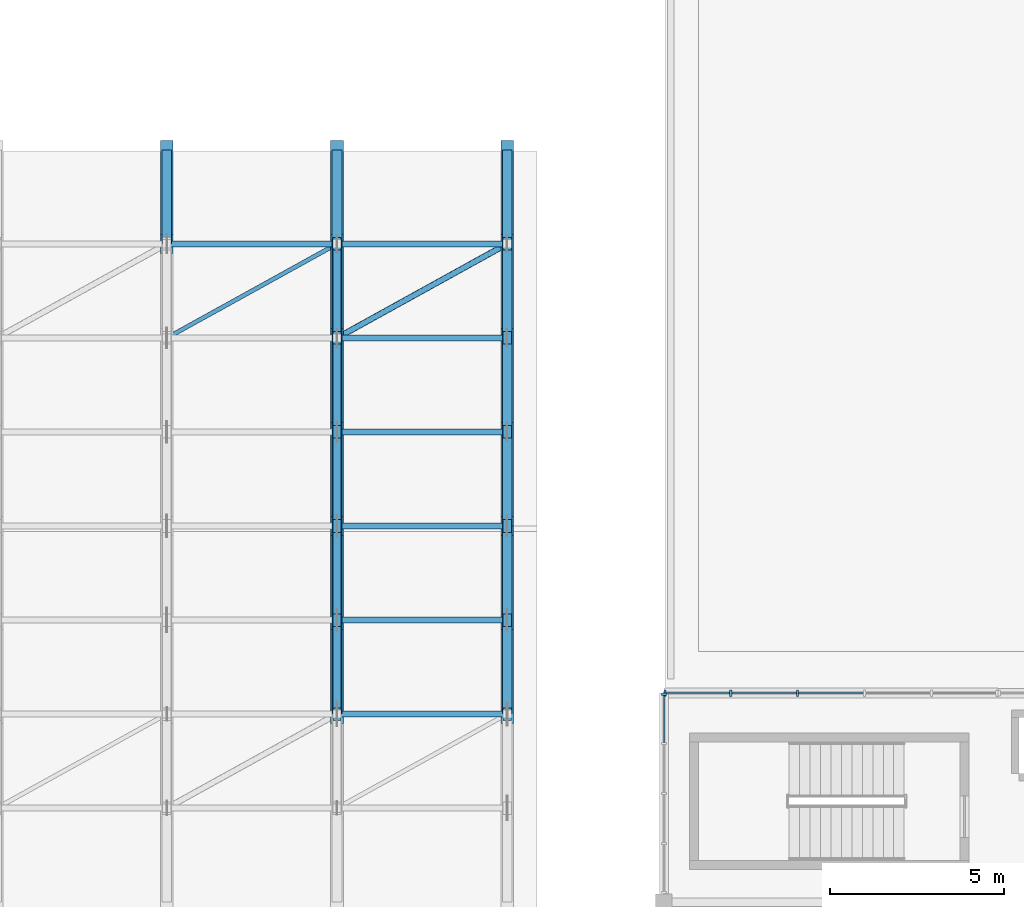
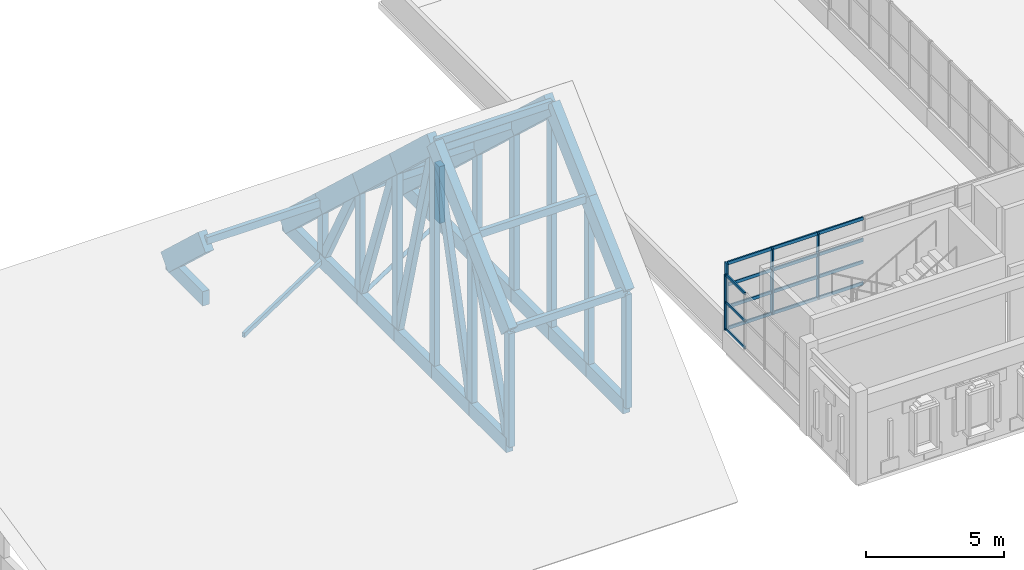
# One storey, part 25 of 79: 71 members, 2 elements without a shape of their own.
"""IFC4 building model written with IfcOpenShell, lengths in metres."""

from ifc_helpers import new_model, si_unit, direction, frame, origin, origin_2d, place, context, subcontext, project, spatial, rectangle, hollow_rectangle, hollow_circle, extrude, material, material_profile, profile_set, type_object, element, aggregate, save


model = new_model("IFC4")

# Units and contexts
model_context = context("Model", 3, precision=1e-05, world=origin(), true_north=direction((0.0, 1.0)))
body_context = subcontext(model_context, "Body", "Model", "MODEL_VIEW")
ifc_project = project(units=[si_unit("LENGTHUNIT", "METRE"), si_unit("AREAUNIT", "SQUARE_METRE"), si_unit("VOLUMEUNIT", "CUBIC_METRE"), si_unit("PLANEANGLEUNIT", "RADIAN"), si_unit("MASSUNIT", "GRAM", prefix="KILO")], contexts=[model_context])

# Site, building, storey
site_placement = place(None, origin())
site = spatial("IfcSite", under=ifc_project, at=site_placement, CompositionType="ELEMENT")
building_placement = place(site_placement, origin())
building = spatial("IfcBuilding", under=site, at=building_placement, Name="Nzembalo Square Collegiate School", CompositionType="ELEMENT")
storey_placement = place(building_placement, frame((0.0, 0.0, 9.52001953125)))
storey = spatial("IfcBuildingStorey", under=building, at=storey_placement, Name="L02", CompositionType="ELEMENT", Elevation=9.52001953125)

# Curtain wall, members
ifc_material_1 = material(Name="Aluminium 6060-T66", Category="aluminium")
curtain_wall_type_1 = type_object("IfcCurtainWallType", Name="CW-09", PredefinedType="USERDEFINED", material=ifc_material_1)
curtain_wall_1_placement = place(storey_placement, origin())
curtain_wall_1 = element("IfcCurtainWall", 1, at=curtain_wall_1_placement, inside=storey, type_object=curtain_wall_type_1, Name="Curtain wall CW-09 cw:L02:100", ObjectType="UNITISED", PredefinedType="USERDEFINED")
ifc_material_2 = material(Name="Aluminium 6060-T66", Category="aluminium")
ifc_material_profile_1 = material_profile(ifc_material_2, rectangle(XDim=0.06005859375, YDim=0.179931640625, at=origin_2d()), Name="ALU M60x180")
ifc_profile_set_1 = profile_set([ifc_material_profile_1], Name="Aluminium 6060-T66")
member_type_1 = type_object("IfcMemberType", Name="ML01", PredefinedType="MULLION", material=ifc_profile_set_1)
member_1_placement = place(storey_placement, frame((130.830078125, 88.800048828125, 0.85009765625), z_axis=(0.0, 0.0, 1.0), x_axis=(1.0, 0.0, 0.0)))
member_1 = element("IfcMember", 2, at=member_1_placement, type_object=member_type_1, Name="ML01 mullion 1", PredefinedType="MULLION", context=body_context, shape_type="SweptSolid", body=[
    extrude(rectangle(XDim=0.06005859375, YDim=0.179931640625, at=origin_2d()), origin(), (0.0, 0.0, 1.0), 2.923828125),
])
member_2_placement = place(storey_placement, frame((132.719970703125, 88.800048828125, 0.85009765625), z_axis=(0.0, 0.0, 1.0), x_axis=(1.0, 0.0, 0.0)))
member_2 = element("IfcMember", 3, at=member_2_placement, type_object=member_type_1, Name="ML01 mullion 2", PredefinedType="MULLION", context=body_context, shape_type="SweptSolid", body=[
    extrude(rectangle(XDim=0.06005859375, YDim=0.179931640625, at=origin_2d()), origin(), (0.0, 0.0, 1.0), 2.923828125),
])
member_3_placement = place(storey_placement, frame((134.639892578125, 88.800048828125, 0.85009765625), z_axis=(0.0, 0.0, 1.0), x_axis=(1.0, 0.0, 0.0)))
member_3 = element("IfcMember", 4, at=member_3_placement, type_object=member_type_1, Name="ML01 mullion 3", PredefinedType="MULLION", context=body_context, shape_type="SweptSolid", body=[
    extrude(rectangle(XDim=0.06005859375, YDim=0.179931640625, at=origin_2d()), origin(), (0.0, 0.0, 1.0), 2.923828125),
])

# Curtain wall, member
ifc_material_3 = material(Name="Aluminium 6060-T66", Category="aluminium")
curtain_wall_type_2 = type_object("IfcCurtainWallType", Name="CW-04", PredefinedType="USERDEFINED", material=ifc_material_3)
curtain_wall_2_placement = place(storey_placement, origin())
curtain_wall_2 = element("IfcCurtainWall", 5, at=curtain_wall_2_placement, inside=storey, type_object=curtain_wall_type_2, Name="Curtain wall CW-04 cw:L02:099", ObjectType="UNITISED", PredefinedType="USERDEFINED")
ifc_material_4 = material(Name="Aluminium 6060-T66", Category="aluminium")
ifc_material_profile_2 = material_profile(ifc_material_4, rectangle(XDim=0.06005859375, YDim=0.14990234375, at=origin_2d()), Name="ALU M60x150")
ifc_profile_set_2 = profile_set([ifc_material_profile_2], Name="Aluminium 6060-T66")
member_type_2 = type_object("IfcMemberType", Name="ML02", PredefinedType="MULLION", material=ifc_profile_set_2)
member_4_placement = place(storey_placement, frame((130.800048828125, 88.77001953125, 0.85009765625), z_axis=(0.0, 0.0, 1.0), x_axis=(0.0, 1.0, 0.0)))
member_4 = element("IfcMember", 6, at=member_4_placement, type_object=member_type_2, Name="ML02 mullion 5", PredefinedType="MULLION", context=body_context, shape_type="SweptSolid", body=[
    extrude(rectangle(XDim=0.06005859375, YDim=0.14990234375, at=origin_2d()), origin(), (0.0, 0.0, 1.0), 2.448974609375),
])

# Member
ifc_material_5 = material(Name="Aluminium 6060-T66", Category="aluminium")
ifc_material_profile_3 = material_profile(ifc_material_5, rectangle(XDim=0.06005859375, YDim=0.139892578125, at=origin_2d()), Name="ALU T60x140")
ifc_profile_set_3 = profile_set([ifc_material_profile_3], Name="Aluminium 6060-T66")
member_type_3 = type_object("IfcMemberType", Name="TR01", PredefinedType="USERDEFINED", material=ifc_profile_set_3)
member_5_placement = place(storey_placement, frame((130.860107421875, 88.800048828125, 0.8798828125), z_axis=(1.0, 0.0, 0.0), x_axis=(0.0, 1.0, 0.0)))
member_5 = element("IfcMember", 7, at=member_5_placement, type_object=member_type_3, Name="TR01 transom 1-1", ObjectType="TRANSOM", PredefinedType="USERDEFINED", context=body_context, shape_type="SweptSolid", body=[
    extrude(rectangle(XDim=0.06005859375, YDim=0.139892578125, at=origin_2d()), origin(), (0.0, 0.0, 1.0), 1.829833984375),
])

member_6_placement = place(storey_placement, frame((132.75, 88.800048828125, 0.8798828125), z_axis=(1.0, 0.0, 0.0), x_axis=(0.0, 1.0, 0.0)))
member_6 = element("IfcMember", 8, at=member_6_placement, type_object=member_type_3, Name="TR01 transom 1-2", ObjectType="TRANSOM", PredefinedType="USERDEFINED", context=body_context, shape_type="SweptSolid", body=[
    extrude(rectangle(XDim=0.06005859375, YDim=0.139892578125, at=origin_2d()), origin(), (0.0, 0.0, 1.0), 1.860107421875),
])

member_7_placement = place(storey_placement, frame((134.669921875, 88.800048828125, 0.8798828125), z_axis=(1.0, 0.0, 0.0), x_axis=(0.0, 1.0, 0.0)))
member_7 = element("IfcMember", 9, at=member_7_placement, type_object=member_type_3, Name="TR01 transom 1-3", ObjectType="TRANSOM", PredefinedType="USERDEFINED", context=body_context, shape_type="SweptSolid", body=[
    extrude(rectangle(XDim=0.06005859375, YDim=0.139892578125, at=origin_2d()), origin(), (0.0, 0.0, 1.0), 1.860107421875),
])

member_8_placement = place(storey_placement, frame((130.860107421875, 88.800048828125, 1.82470703125), z_axis=(1.0, 0.0, 0.0), x_axis=(0.0, 1.0, 0.0)))
member_8 = element("IfcMember", 10, at=member_8_placement, type_object=member_type_3, Name="TR01 transom 2-1", ObjectType="TRANSOM", PredefinedType="USERDEFINED", context=body_context, shape_type="SweptSolid", body=[
    extrude(rectangle(XDim=0.06005859375, YDim=0.139892578125, at=origin_2d()), origin(), (0.0, 0.0, 1.0), 1.829833984375),
])

member_9_placement = place(storey_placement, frame((132.75, 88.800048828125, 1.82470703125), z_axis=(1.0, 0.0, 0.0), x_axis=(0.0, 1.0, 0.0)))
member_9 = element("IfcMember", 11, at=member_9_placement, type_object=member_type_3, Name="TR01 transom 2-2", ObjectType="TRANSOM", PredefinedType="USERDEFINED", context=body_context, shape_type="SweptSolid", body=[
    extrude(rectangle(XDim=0.06005859375, YDim=0.139892578125, at=origin_2d()), origin(), (0.0, 0.0, 1.0), 1.860107421875),
])

member_10_placement = place(storey_placement, frame((134.669921875, 88.800048828125, 1.82470703125), z_axis=(1.0, 0.0, 0.0), x_axis=(0.0, 1.0, 0.0)))
member_10 = element("IfcMember", 12, at=member_10_placement, type_object=member_type_3, Name="TR01 transom 2-3", ObjectType="TRANSOM", PredefinedType="USERDEFINED", context=body_context, shape_type="SweptSolid", body=[
    extrude(rectangle(XDim=0.06005859375, YDim=0.139892578125, at=origin_2d()), origin(), (0.0, 0.0, 1.0), 1.860107421875),
])

member_11_placement = place(storey_placement, frame((130.860107421875, 88.800048828125, 2.79931640625), z_axis=(1.0, 0.0, 0.0), x_axis=(0.0, 1.0, 0.0)))
member_11 = element("IfcMember", 13, at=member_11_placement, type_object=member_type_3, Name="TR01 transom 3-1", ObjectType="TRANSOM", PredefinedType="USERDEFINED", context=body_context, shape_type="SweptSolid", body=[
    extrude(rectangle(XDim=0.06005859375, YDim=0.139892578125, at=origin_2d()), origin(), (0.0, 0.0, 1.0), 1.829833984375),
])

member_12_placement = place(storey_placement, frame((132.75, 88.800048828125, 2.79931640625), z_axis=(1.0, 0.0, 0.0), x_axis=(0.0, 1.0, 0.0)))
member_12 = element("IfcMember", 14, at=member_12_placement, type_object=member_type_3, Name="TR01 transom 3-2", ObjectType="TRANSOM", PredefinedType="USERDEFINED", context=body_context, shape_type="SweptSolid", body=[
    extrude(rectangle(XDim=0.06005859375, YDim=0.139892578125, at=origin_2d()), origin(), (0.0, 0.0, 1.0), 1.860107421875),
])

member_13_placement = place(storey_placement, frame((134.669921875, 88.800048828125, 2.79931640625), z_axis=(1.0, 0.0, 0.0), x_axis=(0.0, 1.0, 0.0)))
member_13 = element("IfcMember", 15, at=member_13_placement, type_object=member_type_3, Name="TR01 transom 3-3", ObjectType="TRANSOM", PredefinedType="USERDEFINED", context=body_context, shape_type="SweptSolid", body=[
    extrude(rectangle(XDim=0.06005859375, YDim=0.139892578125, at=origin_2d()), origin(), (0.0, 0.0, 1.0), 1.860107421875),
])

member_14_placement = place(storey_placement, frame((130.860107421875, 88.800048828125, 3.743896484375), z_axis=(1.0, 0.0, 0.0), x_axis=(0.0, 1.0, 0.0)))
member_14 = element("IfcMember", 16, at=member_14_placement, type_object=member_type_3, Name="TR01 transom 4-1", ObjectType="TRANSOM", PredefinedType="USERDEFINED", context=body_context, shape_type="SweptSolid", body=[
    extrude(rectangle(XDim=0.06005859375, YDim=0.139892578125, at=origin_2d()), origin(), (0.0, 0.0, 1.0), 1.829833984375),
])

member_15_placement = place(storey_placement, frame((132.75, 88.800048828125, 3.743896484375), z_axis=(1.0, 0.0, 0.0), x_axis=(0.0, 1.0, 0.0)))
member_15 = element("IfcMember", 17, at=member_15_placement, type_object=member_type_3, Name="TR01 transom 4-2", ObjectType="TRANSOM", PredefinedType="USERDEFINED", context=body_context, shape_type="SweptSolid", body=[
    extrude(rectangle(XDim=0.06005859375, YDim=0.139892578125, at=origin_2d()), origin(), (0.0, 0.0, 1.0), 1.860107421875),
])

member_16_placement = place(storey_placement, frame((134.669921875, 88.800048828125, 3.743896484375), z_axis=(1.0, 0.0, 0.0), x_axis=(0.0, 1.0, 0.0)))
member_16 = element("IfcMember", 18, at=member_16_placement, type_object=member_type_3, Name="TR01 transom 4-3", ObjectType="TRANSOM", PredefinedType="USERDEFINED", context=body_context, shape_type="SweptSolid", body=[
    extrude(rectangle(XDim=0.06005859375, YDim=0.139892578125, at=origin_2d()), origin(), (0.0, 0.0, 1.0), 1.860107421875),
])

aggregate(curtain_wall_1, [member_1, member_2, member_3, member_5, member_6, member_7, member_8, member_9, member_10, member_11, member_12, member_13, member_14, member_15, member_16])

ifc_material_6 = material(Name="Aluminium 6060-T66", Category="aluminium")
ifc_material_profile_4 = material_profile(ifc_material_6, rectangle(XDim=0.06005859375, YDim=0.110107421875, at=origin_2d()), Name="ALU T60x110")
ifc_profile_set_4 = profile_set([ifc_material_profile_4], Name="Aluminium 6060-T66")
member_type_4 = type_object("IfcMemberType", Name="TR02", PredefinedType="USERDEFINED", material=ifc_profile_set_4)
member_17_placement = place(storey_placement, frame((130.800048828125, 87.390380859375, 0.8798828125), z_axis=(0.0, 1.0, 0.0), x_axis=(-1.0, 0.0, 0.0)))
member_17 = element("IfcMember", 19, at=member_17_placement, type_object=member_type_4, Name="TR02 transom 1-4", ObjectType="TRANSOM", PredefinedType="USERDEFINED", context=body_context, shape_type="SweptSolid", body=[
    extrude(rectangle(XDim=0.06005859375, YDim=0.110107421875, at=origin_2d()), origin(), (0.0, 0.0, 1.0), 1.349609375),
])

member_18_placement = place(storey_placement, frame((130.800048828125, 87.390380859375, 2.074462890625), z_axis=(0.0, 1.0, 0.0), x_axis=(-1.0, 0.0, 0.0)))
member_18 = element("IfcMember", 20, at=member_18_placement, type_object=member_type_4, Name="TR02 transom 2-4", ObjectType="TRANSOM", PredefinedType="USERDEFINED", context=body_context, shape_type="SweptSolid", body=[
    extrude(rectangle(XDim=0.06005859375, YDim=0.110107421875, at=origin_2d()), origin(), (0.0, 0.0, 1.0), 1.349609375),
])

member_19_placement = place(storey_placement, frame((130.800048828125, 87.390380859375, 3.26904296875), z_axis=(0.0, 1.0, 0.0), x_axis=(-1.0, 0.0, 0.0)))
member_19 = element("IfcMember", 21, at=member_19_placement, type_object=member_type_4, Name="TR02 transom 3-4", ObjectType="TRANSOM", PredefinedType="USERDEFINED", context=body_context, shape_type="SweptSolid", body=[
    extrude(rectangle(XDim=0.06005859375, YDim=0.110107421875, at=origin_2d()), origin(), (0.0, 0.0, 1.0), 1.349609375),
])

aggregate(curtain_wall_2, [member_4, member_17, member_18, member_19])

# Members
ifc_material_7 = material(Name="Steel S355", Category="steel")
ifc_material_profile_5 = material_profile(ifc_material_7, hollow_circle(Radius=0.083984375, WallThickness=0.008056640625, at=origin_2d()), Name="CHS 168x8")
ifc_profile_set_5 = profile_set([ifc_material_profile_5], Name="Steel S355")
member_type_5 = type_object("IfcMemberType", Name="BR01", PredefinedType="BRACE", material=ifc_profile_set_5)
member_20_placement = place(storey_placement, frame((121.414306640625, 99.0, -0.60009765625), z_axis=(0.875246407849, 0.483677294843, 0.0), x_axis=(-0.483677294843, 0.875246407849, 0.0)))
element("IfcMember", 22, at=member_20_placement, inside=storey, type_object=member_type_5, Name="Roof wind brace BR01 GT-AH1-08-6", PredefinedType="BRACE", context=body_context, shape_type="SweptSolid", body=[
    extrude(hollow_circle(Radius=0.083984375, WallThickness=0.008056640625, at=origin_2d()), origin(), (0.0, 0.0, 1.0), 5.58203125),
])
ifc_material_8 = material(Name="Steel S355", Category="steel")
ifc_material_profile_6 = material_profile(ifc_material_8, hollow_rectangle(XDim=0.1201171875, YDim=0.199951171875, WallThickness=0.008056640625, at=origin_2d()), Name="RHS 200x120x8")
ifc_profile_set_6 = profile_set([ifc_material_profile_6], Name="Steel S355")
member_type_6 = type_object("IfcMemberType", Name="BR02", PredefinedType="BRACE", material=ifc_profile_set_6)
member_21_placement = place(storey_placement, frame((116.528564453125, 99.0, -0.60009765625), z_axis=(0.875246407849, 0.483677294843, 0.0), x_axis=(-0.483677294843, 0.875246407849, 0.0)))
element("IfcMember", 23, at=member_21_placement, inside=storey, type_object=member_type_6, Name="Roof wind brace BR02 GT-AH1-07-6", PredefinedType="BRACE", context=body_context, shape_type="SweptSolid", body=[
    extrude(hollow_rectangle(XDim=0.1201171875, YDim=0.199951171875, WallThickness=0.008056640625, at=origin_2d()), origin(), (0.0, 0.0, 1.0), 5.58203125),
])
ifc_material_9 = material(Name="Glulam GL28h", Category="wood")
ifc_material_profile_7 = material_profile(ifc_material_9, rectangle(XDim=0.179931640625, YDim=0.320068359375, at=origin_2d()), Name="GL28h 180x320")
ifc_profile_set_7 = profile_set([ifc_material_profile_7], Name="Glulam GL28h")
member_type_7 = type_object("IfcMemberType", Name="PR01", PredefinedType="PURLIN", material=ifc_profile_set_7)
for number, where, z_axis, x_axis, name in (
    (24, (116.528564453125, 101.699951171875, 1.9599609375), (1.0, 0.0, 0.0), (0.0, 1.0, 0.0), "Roof purlin PR01 GT-AH1-07-7"),
    (25, (121.414306640625, 88.199951171875, 4.47509765625), (1.0, 0.0, 0.0), (0.0, 1.0, 0.0), "Roof purlin PR01 GT-AH1-08-2"),
    (26, (121.414306640625, 90.89990234375, 6.989990234375), (1.0, 0.0, 0.0), (0.0, 1.0, 0.0), "Roof purlin PR01 GT-AH1-08-3"),
    (27, (121.414306640625, 93.60009765625, 9.5048828125), (1.0, 0.0, 0.0), (0.0, 1.0, 0.0), "Roof purlin PR01 GT-AH1-08-4"),
    (28, (121.414306640625, 96.300048828125, 6.989990234375), (1.0, 0.0, 0.0), (0.0, 1.0, 0.0), "Roof purlin PR01 GT-AH1-08-5"),
    (29, (121.414306640625, 99.0, 4.47509765625), (1.0, 0.0, 0.0), (0.0, 1.0, 0.0), "Roof purlin PR01 GT-AH1-08-6"),
    (30, (121.414306640625, 101.699951171875, 1.9599609375), (1.0, 0.0, 0.0), (0.0, 1.0, 0.0), "Roof purlin PR01 GT-AH1-08-7"),
):
    element("IfcMember", number, at=place(storey_placement, frame(where, z_axis=z_axis, x_axis=x_axis)), inside=storey, type_object=member_type_7, Name=name, PredefinedType="PURLIN", context=body_context, shape_type="SweptSolid", body=[
        extrude(rectangle(XDim=0.179931640625, YDim=0.320068359375, at=origin_2d()), origin(), (0.0, 0.0, 1.0), 4.8857421875),
    ])
ifc_material_10 = material(Name="Glulam GL32h", Category="wood")
ifc_material_profile_8 = material_profile(ifc_material_10, rectangle(XDim=0.360107421875, YDim=0.800048828125, at=origin_2d()), Name="GL32h 360x800")
ifc_profile_set_8 = profile_set([ifc_material_profile_8], Name="Glulam GL32h")
member_type_8 = type_object("IfcMemberType", Name="TC01", PredefinedType="CHORD", material=ifc_profile_set_8)
for number, where, z_axis, x_axis, name in (
    (31, (116.528564453125, 101.699951171875, 1.9150390625), (0.0, 0.731706201412, -0.681620154349), (-1.0, 0.0, 0.0), "GT-AH1-06 top chord 8"),
    (32, (121.414306640625, 88.199951171875, 4.429931640625), (0.0, 0.731706201412, 0.681620154349), (-1.0, 0.0, 0.0), "GT-AH1-07 top chord 3"),
    (33, (121.414306640625, 90.89990234375, 6.945068359375), (0.0, 0.731769937077, 0.681551728918), (-1.0, 0.0, 0.0), "GT-AH1-07 top chord 4"),
):
    element("IfcMember", number, at=place(storey_placement, frame(where, z_axis=z_axis, x_axis=x_axis)), inside=storey, type_object=member_type_8, Name=name, PredefinedType="CHORD", context=body_context, shape_type="SweptSolid", body=[
        extrude(rectangle(XDim=0.360107421875, YDim=0.800048828125, at=origin_2d()), origin(), (0.0, 0.0, 1.0), 3.68994140625),
    ])
member_22_placement = place(storey_placement, frame((121.414306640625, 93.60009765625, 9.4599609375), z_axis=(0.0, 0.731739200986, -0.681584728218), x_axis=(-1.0, 0.0, 0.0)))
element("IfcMember", 34, at=member_22_placement, inside=storey, type_object=member_type_8, Name="GT-AH1-07 top chord 5", PredefinedType="CHORD", context=body_context, shape_type="SweptSolid", body=[
    extrude(rectangle(XDim=0.360107421875, YDim=0.800048828125, at=origin_2d()), origin(), (0.0, 0.0, 1.0), 3.689697265625),
])
member_23_placement = place(storey_placement, frame((121.414306640625, 96.300048828125, 6.945068359375), z_axis=(0.0, 0.731706201412, -0.681620154349), x_axis=(-1.0, 0.0, 0.0)))
element("IfcMember", 35, at=member_23_placement, inside=storey, type_object=member_type_8, Name="GT-AH1-07 top chord 6", PredefinedType="CHORD", context=body_context, shape_type="SweptSolid", body=[
    extrude(rectangle(XDim=0.360107421875, YDim=0.800048828125, at=origin_2d()), origin(), (0.0, 0.0, 1.0), 3.68994140625),
])
member_24_placement = place(storey_placement, frame((121.414306640625, 99.0, 4.429931640625), z_axis=(0.0, 0.731739200986, -0.681584728218), x_axis=(-1.0, 0.0, 0.0)))
element("IfcMember", 36, at=member_24_placement, inside=storey, type_object=member_type_8, Name="GT-AH1-07 top chord 7", PredefinedType="CHORD", context=body_context, shape_type="SweptSolid", body=[
    extrude(rectangle(XDim=0.360107421875, YDim=0.800048828125, at=origin_2d()), origin(), (0.0, 0.0, 1.0), 3.689697265625),
])
for number, where, z_axis, x_axis, name in (
    (37, (121.414306640625, 101.699951171875, 1.9150390625), (0.0, 0.731706201412, -0.681620154349), (-1.0, 0.0, 0.0), "GT-AH1-07 top chord 8"),
    (38, (126.300048828125, 88.199951171875, 4.429931640625), (0.0, 0.731706201412, 0.681620154349), (-1.0, 0.0, 0.0), "GT-AH1-08 top chord 3"),
    (39, (126.300048828125, 90.89990234375, 6.945068359375), (0.0, 0.731769937077, 0.681551728918), (-1.0, 0.0, 0.0), "GT-AH1-08 top chord 4"),
):
    element("IfcMember", number, at=place(storey_placement, frame(where, z_axis=z_axis, x_axis=x_axis)), inside=storey, type_object=member_type_8, Name=name, PredefinedType="CHORD", context=body_context, shape_type="SweptSolid", body=[
        extrude(rectangle(XDim=0.360107421875, YDim=0.800048828125, at=origin_2d()), origin(), (0.0, 0.0, 1.0), 3.68994140625),
    ])
member_25_placement = place(storey_placement, frame((126.300048828125, 93.60009765625, 9.4599609375), z_axis=(0.0, 0.731739200986, -0.681584728218), x_axis=(-1.0, 0.0, 0.0)))
element("IfcMember", 40, at=member_25_placement, inside=storey, type_object=member_type_8, Name="GT-AH1-08 top chord 5", PredefinedType="CHORD", context=body_context, shape_type="SweptSolid", body=[
    extrude(rectangle(XDim=0.360107421875, YDim=0.800048828125, at=origin_2d()), origin(), (0.0, 0.0, 1.0), 3.689697265625),
])
member_26_placement = place(storey_placement, frame((126.300048828125, 96.300048828125, 6.945068359375), z_axis=(0.0, 0.731706201412, -0.681620154349), x_axis=(-1.0, 0.0, 0.0)))
element("IfcMember", 41, at=member_26_placement, inside=storey, type_object=member_type_8, Name="GT-AH1-08 top chord 6", PredefinedType="CHORD", context=body_context, shape_type="SweptSolid", body=[
    extrude(rectangle(XDim=0.360107421875, YDim=0.800048828125, at=origin_2d()), origin(), (0.0, 0.0, 1.0), 3.68994140625),
])
member_27_placement = place(storey_placement, frame((126.300048828125, 99.0, 4.429931640625), z_axis=(0.0, 0.731739200986, -0.681584728218), x_axis=(-1.0, 0.0, 0.0)))
element("IfcMember", 42, at=member_27_placement, inside=storey, type_object=member_type_8, Name="GT-AH1-08 top chord 7", PredefinedType="CHORD", context=body_context, shape_type="SweptSolid", body=[
    extrude(rectangle(XDim=0.360107421875, YDim=0.800048828125, at=origin_2d()), origin(), (0.0, 0.0, 1.0), 3.689697265625),
])
member_28_placement = place(storey_placement, frame((126.300048828125, 101.699951171875, 1.9150390625), z_axis=(0.0, 0.731706201412, -0.681620154349), x_axis=(-1.0, 0.0, 0.0)))
element("IfcMember", 43, at=member_28_placement, inside=storey, type_object=member_type_8, Name="GT-AH1-08 top chord 8", PredefinedType="CHORD", context=body_context, shape_type="SweptSolid", body=[
    extrude(rectangle(XDim=0.360107421875, YDim=0.800048828125, at=origin_2d()), origin(), (0.0, 0.0, 1.0), 3.68994140625),
])
ifc_material_11 = material(Name="Glulam GL32h", Category="wood")
ifc_material_profile_9 = material_profile(ifc_material_11, rectangle(XDim=0.280029296875, YDim=0.639892578125, at=origin_2d()), Name="GL32h 280x640")
ifc_profile_set_9 = profile_set([ifc_material_profile_9], Name="Glulam GL32h")
member_type_9 = type_object("IfcMemberType", Name="TC02", PredefinedType="CHORD", material=ifc_profile_set_9)
for number, where, z_axis, x_axis, name in (
    (44, (116.528564453125, 101.699951171875, -0.60009765625), (0.0, 1.0, 0.0), (-1.0, 0.0, 0.0), "GT-AH1-06 bottom chord 8"),
    (45, (121.414306640625, 88.199951171875, -0.60009765625), (0.0, 1.0, 0.0), (-1.0, 0.0, 0.0), "GT-AH1-07 bottom chord 3"),
):
    element("IfcMember", number, at=place(storey_placement, frame(where, z_axis=z_axis, x_axis=x_axis)), inside=storey, type_object=member_type_9, Name=name, PredefinedType="CHORD", context=body_context, shape_type="SweptSolid", body=[
        extrude(rectangle(XDim=0.280029296875, YDim=0.639892578125, at=origin_2d()), origin(), (0.0, 0.0, 1.0), 2.699951171875),
    ])
member_29_placement = place(storey_placement, frame((121.414306640625, 90.89990234375, -0.60009765625), z_axis=(0.0, 1.0, 0.0), x_axis=(-1.0, 0.0, 0.0)))
element("IfcMember", 46, at=member_29_placement, inside=storey, type_object=member_type_9, Name="GT-AH1-07 bottom chord 4", PredefinedType="CHORD", context=body_context, shape_type="SweptSolid", body=[
    extrude(rectangle(XDim=0.280029296875, YDim=0.639892578125, at=origin_2d()), origin(), (0.0, 0.0, 1.0), 2.7001953125),
])
for number, where, z_axis, x_axis, name in (
    (47, (121.414306640625, 93.60009765625, -0.60009765625), (0.0, 1.0, 0.0), (-1.0, 0.0, 0.0), "GT-AH1-07 bottom chord 5"),
    (48, (121.414306640625, 96.300048828125, -0.60009765625), (0.0, 1.0, 0.0), (-1.0, 0.0, 0.0), "GT-AH1-07 bottom chord 6"),
    (49, (121.414306640625, 99.0, -0.60009765625), (0.0, 1.0, 0.0), (-1.0, 0.0, 0.0), "GT-AH1-07 bottom chord 7"),
    (50, (121.414306640625, 101.699951171875, -0.60009765625), (0.0, 1.0, 0.0), (-1.0, 0.0, 0.0), "GT-AH1-07 bottom chord 8"),
    (51, (126.300048828125, 88.199951171875, -0.60009765625), (0.0, 1.0, 0.0), (-1.0, 0.0, 0.0), "GT-AH1-08 bottom chord 3"),
):
    element("IfcMember", number, at=place(storey_placement, frame(where, z_axis=z_axis, x_axis=x_axis)), inside=storey, type_object=member_type_9, Name=name, PredefinedType="CHORD", context=body_context, shape_type="SweptSolid", body=[
        extrude(rectangle(XDim=0.280029296875, YDim=0.639892578125, at=origin_2d()), origin(), (0.0, 0.0, 1.0), 2.699951171875),
    ])
member_30_placement = place(storey_placement, frame((126.300048828125, 90.89990234375, -0.60009765625), z_axis=(0.0, 1.0, 0.0), x_axis=(-1.0, 0.0, 0.0)))
element("IfcMember", 52, at=member_30_placement, inside=storey, type_object=member_type_9, Name="GT-AH1-08 bottom chord 4", PredefinedType="CHORD", context=body_context, shape_type="SweptSolid", body=[
    extrude(rectangle(XDim=0.280029296875, YDim=0.639892578125, at=origin_2d()), origin(), (0.0, 0.0, 1.0), 2.7001953125),
])
for number, where, z_axis, x_axis, name in (
    (53, (126.300048828125, 93.60009765625, -0.60009765625), (0.0, 1.0, 0.0), (-1.0, 0.0, 0.0), "GT-AH1-08 bottom chord 5"),
    (54, (126.300048828125, 96.300048828125, -0.60009765625), (0.0, 1.0, 0.0), (-1.0, 0.0, 0.0), "GT-AH1-08 bottom chord 6"),
    (55, (126.300048828125, 99.0, -0.60009765625), (0.0, 1.0, 0.0), (-1.0, 0.0, 0.0), "GT-AH1-08 bottom chord 7"),
    (56, (126.300048828125, 101.699951171875, -0.60009765625), (0.0, 1.0, 0.0), (-1.0, 0.0, 0.0), "GT-AH1-08 bottom chord 8"),
):
    element("IfcMember", number, at=place(storey_placement, frame(where, z_axis=z_axis, x_axis=x_axis)), inside=storey, type_object=member_type_9, Name=name, PredefinedType="CHORD", context=body_context, shape_type="SweptSolid", body=[
        extrude(rectangle(XDim=0.280029296875, YDim=0.639892578125, at=origin_2d()), origin(), (0.0, 0.0, 1.0), 2.699951171875),
    ])
ifc_material_12 = material(Name="Glulam GL32h", Category="wood")
ifc_material_profile_10 = material_profile(ifc_material_12, rectangle(XDim=0.239990234375, YDim=0.360107421875, at=origin_2d()), Name="GL32h 240x360")
ifc_profile_set_10 = profile_set([ifc_material_profile_10], Name="Glulam GL32h")
member_type_10 = type_object("IfcMemberType", Name="TD02", PredefinedType="BRACE", material=ifc_profile_set_10)
member_31_placement = place(storey_placement, frame((121.414306640625, 88.199951171875, -0.60009765625), z_axis=(0.0, 0.336917244062, 0.941534264195), x_axis=(-1.0, 0.0, 0.0)))
element("IfcMember", 57, at=member_31_placement, inside=storey, type_object=member_type_10, Name="GT-AH1-07 web diagonal 2", PredefinedType="BRACE", context=body_context, shape_type="SweptSolid", body=[
    extrude(rectangle(XDim=0.239990234375, YDim=0.360107421875, at=origin_2d()), origin(), (0.0, 0.0, 1.0), 8.013671875),
])
for number, where, z_axis, x_axis, name in (
    (58, (121.414306640625, 90.89990234375, -0.60009765625), (0.0, 0.259232022659, 0.965815074654), (-1.0, 0.0, 0.0), "GT-AH1-07 web diagonal 3"),
    (59, (121.414306640625, 96.300048828125, -0.60009765625), (0.0, -0.259210158869, 0.965820942794), (1.0, 0.0, 0.0), "GT-AH1-07 web diagonal 4"),
):
    element("IfcMember", number, at=place(storey_placement, frame(where, z_axis=z_axis, x_axis=x_axis)), inside=storey, type_object=member_type_10, Name=name, PredefinedType="BRACE", context=body_context, shape_type="SweptSolid", body=[
        extrude(rectangle(XDim=0.239990234375, YDim=0.360107421875, at=origin_2d()), origin(), (0.0, 0.0, 1.0), 10.416015625),
    ])
member_32_placement = place(storey_placement, frame((121.414306640625, 99.0, -0.60009765625), z_axis=(0.0, -0.336917244062, 0.941534264195), x_axis=(1.0, 0.0, 0.0)))
element("IfcMember", 60, at=member_32_placement, inside=storey, type_object=member_type_10, Name="GT-AH1-07 web diagonal 5", PredefinedType="BRACE", context=body_context, shape_type="SweptSolid", body=[
    extrude(rectangle(XDim=0.239990234375, YDim=0.360107421875, at=origin_2d()), origin(), (0.0, 0.0, 1.0), 8.013671875),
])
member_33_placement = place(storey_placement, frame((121.414306640625, 101.699951171875, -0.60009765625), z_axis=(0.0, -0.47294161091, 0.881093770646), x_axis=(1.0, 0.0, 0.0)))
element("IfcMember", 61, at=member_33_placement, inside=storey, type_object=member_type_10, Name="GT-AH1-07 web diagonal 6", PredefinedType="BRACE", context=body_context, shape_type="SweptSolid", body=[
    extrude(rectangle(XDim=0.239990234375, YDim=0.360107421875, at=origin_2d()), origin(), (0.0, 0.0, 1.0), 5.708740234375),
])
ifc_material_13 = material(Name="Glulam GL32h", Category="wood")
ifc_material_profile_11 = material_profile(ifc_material_13, rectangle(XDim=0.239990234375, YDim=0.360107421875, at=origin_2d()), Name="GL32h 240x360")
ifc_profile_set_11 = profile_set([ifc_material_profile_11], Name="Glulam GL32h")
member_type_11 = type_object("IfcMemberType", Name="TP01", PredefinedType="POST", material=ifc_profile_set_11)
member_34_placement = place(storey_placement, frame((121.414306640625, 88.199951171875, -0.60009765625), z_axis=(0.0, 0.0, 1.0), x_axis=(1.0, 0.0, 0.0)))
element("IfcMember", 62, at=member_34_placement, inside=storey, type_object=member_type_11, Name="GT-AH1-07 vertical post 2", PredefinedType="POST", context=body_context, shape_type="SweptSolid", body=[
    extrude(rectangle(XDim=0.239990234375, YDim=0.360107421875, at=origin_2d()), origin(), (0.0, 0.0, 1.0), 5.030029296875),
])
member_35_placement = place(storey_placement, frame((121.414306640625, 90.89990234375, -0.60009765625), z_axis=(0.0, 0.0, 1.0), x_axis=(1.0, 0.0, 0.0)))
element("IfcMember", 63, at=member_35_placement, inside=storey, type_object=member_type_11, Name="GT-AH1-07 vertical post 3", PredefinedType="POST", context=body_context, shape_type="SweptSolid", body=[
    extrude(rectangle(XDim=0.239990234375, YDim=0.360107421875, at=origin_2d()), origin(), (0.0, 0.0, 1.0), 7.545166015625),
])
member_36_placement = place(storey_placement, frame((121.414306640625, 93.60009765625, -0.60009765625), z_axis=(0.0, 0.0, 1.0), x_axis=(1.0, 0.0, 0.0)))
element("IfcMember", 64, at=member_36_placement, inside=storey, type_object=member_type_11, Name="GT-AH1-07 vertical post 4", PredefinedType="POST", context=body_context, shape_type="SweptSolid", body=[
    extrude(rectangle(XDim=0.239990234375, YDim=0.360107421875, at=origin_2d()), origin(), (0.0, 0.0, 1.0), 10.06005859375),
])
member_37_placement = place(storey_placement, frame((121.414306640625, 96.300048828125, -0.60009765625), z_axis=(0.0, 0.0, 1.0), x_axis=(1.0, 0.0, 0.0)))
element("IfcMember", 65, at=member_37_placement, inside=storey, type_object=member_type_11, Name="GT-AH1-07 vertical post 5", PredefinedType="POST", context=body_context, shape_type="SweptSolid", body=[
    extrude(rectangle(XDim=0.239990234375, YDim=0.360107421875, at=origin_2d()), origin(), (0.0, 0.0, 1.0), 7.545166015625),
])
member_38_placement = place(storey_placement, frame((121.414306640625, 99.0, -0.60009765625), z_axis=(0.0, 0.0, 1.0), x_axis=(1.0, 0.0, 0.0)))
element("IfcMember", 66, at=member_38_placement, inside=storey, type_object=member_type_11, Name="GT-AH1-07 vertical post 6", PredefinedType="POST", context=body_context, shape_type="SweptSolid", body=[
    extrude(rectangle(XDim=0.239990234375, YDim=0.360107421875, at=origin_2d()), origin(), (0.0, 0.0, 1.0), 5.030029296875),
])
member_39_placement = place(storey_placement, frame((121.414306640625, 101.699951171875, -0.60009765625), z_axis=(0.0, 0.0, 1.0), x_axis=(1.0, 0.0, 0.0)))
element("IfcMember", 67, at=member_39_placement, inside=storey, type_object=member_type_11, Name="GT-AH1-07 vertical post 7", PredefinedType="POST", context=body_context, shape_type="SweptSolid", body=[
    extrude(rectangle(XDim=0.239990234375, YDim=0.360107421875, at=origin_2d()), origin(), (0.0, 0.0, 1.0), 2.51513671875),
])
member_40_placement = place(storey_placement, frame((126.300048828125, 88.199951171875, -0.60009765625), z_axis=(0.0, 0.0, 1.0), x_axis=(1.0, 0.0, 0.0)))
element("IfcMember", 68, at=member_40_placement, inside=storey, type_object=member_type_11, Name="GT-AH1-08 vertical post 2", PredefinedType="POST", context=body_context, shape_type="SweptSolid", body=[
    extrude(rectangle(XDim=0.239990234375, YDim=0.360107421875, at=origin_2d()), origin(), (0.0, 0.0, 1.0), 5.030029296875),
])
member_41_placement = place(storey_placement, frame((126.300048828125, 90.89990234375, -0.60009765625), z_axis=(0.0, 0.0, 1.0), x_axis=(1.0, 0.0, 0.0)))
element("IfcMember", 69, at=member_41_placement, inside=storey, type_object=member_type_11, Name="GT-AH1-08 vertical post 3", PredefinedType="POST", context=body_context, shape_type="SweptSolid", body=[
    extrude(rectangle(XDim=0.239990234375, YDim=0.360107421875, at=origin_2d()), origin(), (0.0, 0.0, 1.0), 7.545166015625),
])
member_42_placement = place(storey_placement, frame((126.300048828125, 93.60009765625, -0.60009765625), z_axis=(0.0, 0.0, 1.0), x_axis=(1.0, 0.0, 0.0)))
element("IfcMember", 70, at=member_42_placement, inside=storey, type_object=member_type_11, Name="GT-AH1-08 vertical post 4", PredefinedType="POST", context=body_context, shape_type="SweptSolid", body=[
    extrude(rectangle(XDim=0.239990234375, YDim=0.360107421875, at=origin_2d()), origin(), (0.0, 0.0, 1.0), 10.06005859375),
])
member_43_placement = place(storey_placement, frame((126.300048828125, 96.300048828125, -0.60009765625), z_axis=(0.0, 0.0, 1.0), x_axis=(1.0, 0.0, 0.0)))
element("IfcMember", 71, at=member_43_placement, inside=storey, type_object=member_type_11, Name="GT-AH1-08 vertical post 5", PredefinedType="POST", context=body_context, shape_type="SweptSolid", body=[
    extrude(rectangle(XDim=0.239990234375, YDim=0.360107421875, at=origin_2d()), origin(), (0.0, 0.0, 1.0), 7.545166015625),
])
member_44_placement = place(storey_placement, frame((126.300048828125, 99.0, -0.60009765625), z_axis=(0.0, 0.0, 1.0), x_axis=(1.0, 0.0, 0.0)))
element("IfcMember", 72, at=member_44_placement, inside=storey, type_object=member_type_11, Name="GT-AH1-08 vertical post 6", PredefinedType="POST", context=body_context, shape_type="SweptSolid", body=[
    extrude(rectangle(XDim=0.239990234375, YDim=0.360107421875, at=origin_2d()), origin(), (0.0, 0.0, 1.0), 5.030029296875),
])
member_45_placement = place(storey_placement, frame((126.300048828125, 101.699951171875, -0.60009765625), z_axis=(0.0, 0.0, 1.0), x_axis=(1.0, 0.0, 0.0)))
element("IfcMember", 73, at=member_45_placement, inside=storey, type_object=member_type_11, Name="GT-AH1-08 vertical post 7", PredefinedType="POST", context=body_context, shape_type="SweptSolid", body=[
    extrude(rectangle(XDim=0.239990234375, YDim=0.360107421875, at=origin_2d()), origin(), (0.0, 0.0, 1.0), 2.51513671875),
])

save(model, "model.ifc")
